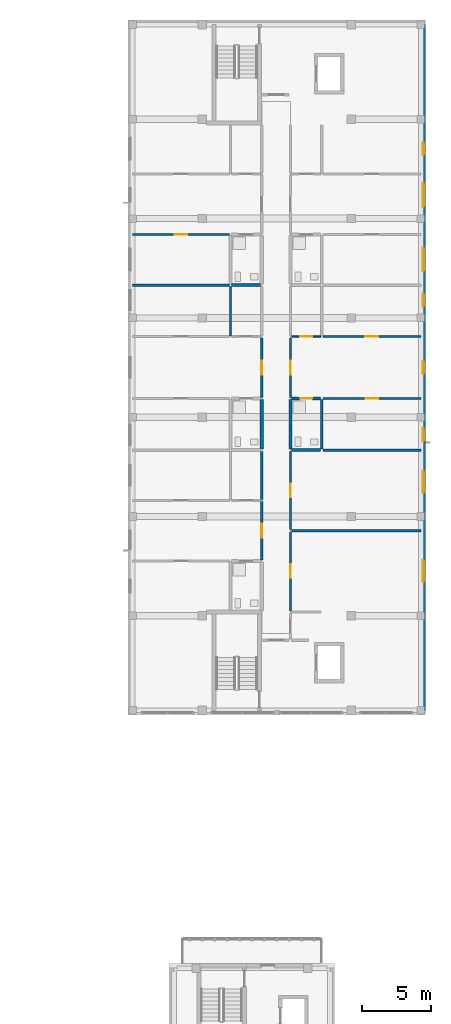
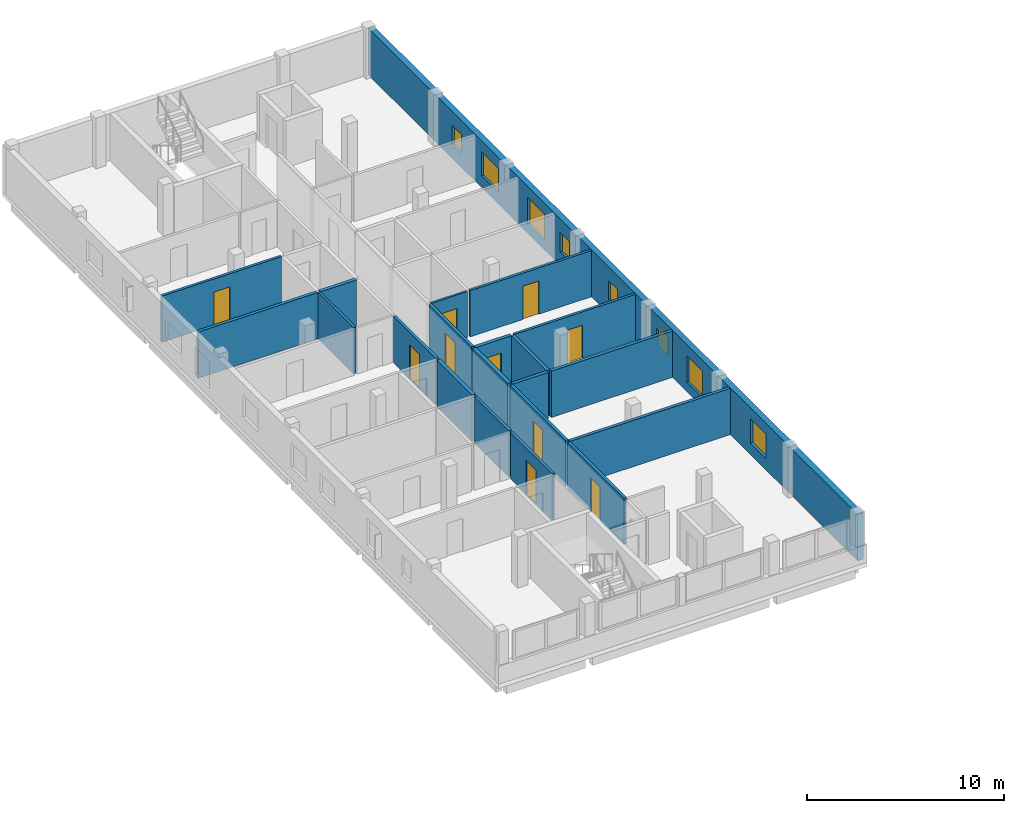
# One storey, part 18 of 35: 21 walls, 10 doors, 8 windows, 18 openings.
"""IFC4 building model written with IfcOpenShell, lengths in metres."""

from ifc_helpers import new_model, si_unit, derived_unit, direction, frame, frame_2d, origin, place, context, subcontext, project, spatial, rectangle, extrude, material, layer, layer_set, type_object, element, fill, save


model = new_model("IFC4")

# Units and contexts
model_context = context("Model", 3, precision=1e-05, world=origin(), true_north=direction((0.0, 1.0)))
body_context = subcontext(model_context, "Body", "Model", "MODEL_VIEW")
ifc_project = project(units=[si_unit("LENGTHUNIT", "METRE"), si_unit("AREAUNIT", "SQUARE_METRE"), si_unit("VOLUMEUNIT", "CUBIC_METRE"), si_unit("PLANEANGLEUNIT", "RADIAN"), si_unit("MASSUNIT", "GRAM", prefix="KILO"), derived_unit("THERMALTRANSMITTANCEUNIT", [(si_unit("MASSUNIT", "GRAM", prefix="KILO"), 1), (si_unit("TIMEUNIT", "SECOND"), -3), (si_unit("THERMODYNAMICTEMPERATUREUNIT", "KELVIN"), -1)])], contexts=[model_context])

# Site, building, storey
site_placement = place(None, origin())
site = spatial("IfcSite", under=ifc_project, at=site_placement, CompositionType="ELEMENT")
building_placement = place(site_placement, origin())
building = spatial("IfcBuilding", under=site, at=building_placement, Name="Ochrekiln Boulevard Commons", CompositionType="ELEMENT")
storey_placement = place(building_placement, frame((0.0, 0.0, 30.97509765625)))
storey = spatial("IfcBuildingStorey", under=building, at=storey_placement, Name="L09", CompositionType="ELEMENT", Elevation=30.97509765625)

# Wall, openings, windows
ifc_material_1 = material(Name="Iron-spot brown clinker brick masonry ASTM C216 Grade SW", Category="masonry")
ifc_layer_1 = layer(ifc_material_1, 0.340087890625)
ifc_layer_set_1 = layer_set([ifc_layer_1], Name="Iron-spot brown clinker brick masonry ASTM C216 Grade SW")
wall_type_1 = type_object("IfcWallType", Name="WL-EXT-IRON-340", PredefinedType="SOLIDWALL", material=ifc_layer_set_1)
wall_1_placement = place(storey_placement, frame((172.6298828125, 68.739990234375, 0.0), z_axis=(0.0, 0.0, 1.0), x_axis=(0.0, 1.0, 0.0)))
wall_1 = element("IfcWall", 1, at=wall_1_placement, inside=storey, type_object=wall_type_1, Name="Block B L09 E Exterior Wall", PredefinedType="SOLIDWALL", context=body_context, shape_type="SweptSolid", body=[
    extrude(rectangle(XDim=49.719970703125, YDim=0.340087890625, at=frame_2d((24.85986328125, 0.0))), origin(), (0.0, 0.0, 1.0), 2.89990234375),
])
opening_1_placement = place(wall_1_placement, frame((9.297119140625, 0.0, 0.715087890625)))
opening_1 = element("IfcOpeningElement", 2, at=opening_1_placement, cuts=wall_1, Name="Opening W-33", PredefinedType="OPENING", context=body_context, shape_type="SweptSolid", body=[
    extrude(rectangle(XDim=1.60009765625, YDim=1.5, at=frame_2d((0.800048828125, 0.75))), frame((0.0, 0.179931640625, 0.0), z_axis=(0.0, -1.0, 0.0), x_axis=(1.0, 0.0, 0.0)), (0.0, 0.0, 1.0), 0.360107421875),
])
opening_2_placement = place(wall_1_placement, frame((15.758056640625, 0.0, 0.56494140625)))
opening_2 = element("IfcOpeningElement", 3, at=opening_2_placement, cuts=wall_1, Name="Opening W-34", PredefinedType="OPENING", context=body_context, shape_type="SweptSolid", body=[
    extrude(rectangle(XDim=1.60009765625, YDim=1.64990234375, at=frame_2d((0.800048828125, 0.824951171875))), frame((0.0, 0.179931640625, 0.0), z_axis=(0.0, -1.0, 0.0), x_axis=(1.0, 0.0, 0.0)), (0.0, 0.0, 1.0), 0.360107421875),
])
opening_3_placement = place(wall_1_placement, frame((24.385009765625, 0.0, 0.85009765625)))
opening_3 = element("IfcOpeningElement", 4, at=opening_3_placement, cuts=wall_1, Name="Opening W-01", PredefinedType="OPENING", context=body_context, shape_type="SweptSolid", body=[
    extrude(rectangle(XDim=0.949951171875, YDim=1.199951171875, at=frame_2d((0.47509765625, 0.60009765625))), frame((0.0, 0.179931640625, 0.0), z_axis=(0.0, -1.0, 0.0), x_axis=(1.0, 0.0, 0.0)), (0.0, 0.0, 1.0), 0.360107421875),
])
opening_4_placement = place(wall_1_placement, frame((19.5029296875, 0.0, 0.85009765625)))
opening_4 = element("IfcOpeningElement", 5, at=opening_4_placement, cuts=wall_1, Name="Opening W-01", PredefinedType="OPENING", context=body_context, shape_type="SweptSolid", body=[
    extrude(rectangle(XDim=0.949951171875, YDim=1.199951171875, at=frame_2d((0.47509765625, 0.60009765625))), frame((0.0, 0.179931640625, 0.0), z_axis=(0.0, -1.0, 0.0), x_axis=(1.0, 0.0, 0.0)), (0.0, 0.0, 1.0), 0.360107421875),
])
opening_5_placement = place(wall_1_placement, frame((29.26708984375, 0.0, 0.85009765625)))
opening_5 = element("IfcOpeningElement", 6, at=opening_5_placement, cuts=wall_1, Name="Opening W-01", PredefinedType="OPENING", context=body_context, shape_type="SweptSolid", body=[
    extrude(rectangle(XDim=0.949951171875, YDim=1.199951171875, at=frame_2d((0.47509765625, 0.60009765625))), frame((0.0, 0.179931640625, 0.0), z_axis=(0.0, -1.0, 0.0), x_axis=(1.0, 0.0, 0.0)), (0.0, 0.0, 1.0), 0.360107421875),
])
opening_6_placement = place(wall_1_placement, frame((36.508056640625, 0.0, 0.715087890625)))
opening_6 = element("IfcOpeningElement", 7, at=opening_6_placement, cuts=wall_1, Name="Opening W-38", PredefinedType="OPENING", context=body_context, shape_type="SweptSolid", body=[
    extrude(rectangle(XDim=1.719970703125, YDim=1.5, at=frame_2d((0.85986328125, 0.75))), frame((0.0, 0.179931640625, 0.0), z_axis=(0.0, -1.0, 0.0), x_axis=(1.0, 0.0, 0.0)), (0.0, 0.0, 1.0), 0.360107421875),
])
opening_7_placement = place(wall_1_placement, frame((31.821044921875, 0.0, 0.56494140625)))
opening_7 = element("IfcOpeningElement", 8, at=opening_7_placement, cuts=wall_1, Name="Opening W-39", PredefinedType="OPENING", context=body_context, shape_type="SweptSolid", body=[
    extrude(rectangle(XDim=1.719970703125, YDim=1.64990234375, at=frame_2d((0.85986328125, 0.824951171875))), frame((0.0, 0.179931640625, 0.0), z_axis=(0.0, -1.0, 0.0), x_axis=(1.0, 0.0, 0.0)), (0.0, 0.0, 1.0), 0.360107421875),
])
opening_8_placement = place(wall_1_placement, frame((40.239013671875, 0.0, 0.85009765625)))
opening_8 = element("IfcOpeningElement", 9, at=opening_8_placement, cuts=wall_1, Name="Opening W-01", PredefinedType="OPENING", context=body_context, shape_type="SweptSolid", body=[
    extrude(rectangle(XDim=0.949951171875, YDim=1.199951171875, at=frame_2d((0.47509765625, 0.60009765625))), frame((0.0, 0.179931640625, 0.0), z_axis=(0.0, -1.0, 0.0), x_axis=(1.0, 0.0, 0.0)), (0.0, 0.0, 1.0), 0.360107421875),
])
ifc_material_2 = material(Name="Thermally broken aluminium-clad oak frame", Category="aluminium")
window_type_1 = type_object("IfcWindowType", Name="WIN-EXT-01", PartitioningType="SINGLE_PANEL", PredefinedType="WINDOW", material=ifc_material_2)
window_1_placement = place(opening_3_placement, origin())
window_1 = element("IfcWindow", 10, at=window_1_placement, inside=storey, type_object=window_type_1, Name="Block B L09 Punched Masonry Window W-01", OverallHeight=1.199951171875, OverallWidth=0.949951171875, PartitioningType="SINGLE_PANEL", PredefinedType="WINDOW", context=body_context, shape_type="SweptSolid", body=[
    extrude(rectangle(XDim=0.949951171875, YDim=1.199951171875, at=frame_2d((0.47509765625, 0.60009765625))), frame((0.0, 0.030029296875, 0.0), z_axis=(0.0, -1.0, 0.0), x_axis=(1.0, 0.0, 0.0)), (0.0, 0.0, 1.0), 0.06005859375),
])
fill(opening_3, window_1)
window_2_placement = place(opening_4_placement, origin())
window_2 = element("IfcWindow", 11, at=window_2_placement, inside=storey, type_object=window_type_1, Name="Block B L09 Punched Masonry Window W-01", OverallHeight=1.199951171875, OverallWidth=0.949951171875, PartitioningType="SINGLE_PANEL", PredefinedType="WINDOW", context=body_context, shape_type="SweptSolid", body=[
    extrude(rectangle(XDim=0.949951171875, YDim=1.199951171875, at=frame_2d((0.47509765625, 0.60009765625))), frame((0.0, 0.030029296875, 0.0), z_axis=(0.0, -1.0, 0.0), x_axis=(1.0, 0.0, 0.0)), (0.0, 0.0, 1.0), 0.06005859375),
])
fill(opening_4, window_2)
window_3_placement = place(opening_5_placement, origin())
window_3 = element("IfcWindow", 12, at=window_3_placement, inside=storey, type_object=window_type_1, Name="Block B L09 Punched Masonry Window W-01", OverallHeight=1.199951171875, OverallWidth=0.949951171875, PartitioningType="SINGLE_PANEL", PredefinedType="WINDOW", context=body_context, shape_type="SweptSolid", body=[
    extrude(rectangle(XDim=0.949951171875, YDim=1.199951171875, at=frame_2d((0.47509765625, 0.60009765625))), frame((0.0, 0.030029296875, 0.0), z_axis=(0.0, -1.0, 0.0), x_axis=(1.0, 0.0, 0.0)), (0.0, 0.0, 1.0), 0.06005859375),
])
fill(opening_5, window_3)
window_4_placement = place(opening_8_placement, origin())
window_4 = element("IfcWindow", 13, at=window_4_placement, inside=storey, type_object=window_type_1, Name="Block B L09 Punched Masonry Window W-01", OverallHeight=1.199951171875, OverallWidth=0.949951171875, PartitioningType="SINGLE_PANEL", PredefinedType="WINDOW", context=body_context, shape_type="SweptSolid", body=[
    extrude(rectangle(XDim=0.949951171875, YDim=1.199951171875, at=frame_2d((0.47509765625, 0.60009765625))), frame((0.0, 0.030029296875, 0.0), z_axis=(0.0, -1.0, 0.0), x_axis=(1.0, 0.0, 0.0)), (0.0, 0.0, 1.0), 0.06005859375),
])
fill(opening_8, window_4)
window_type_2 = type_object("IfcWindowType", Name="WIN-EXT-33", PartitioningType="DOUBLE_PANEL_VERTICAL", PredefinedType="WINDOW", material=ifc_material_2)
window_5_placement = place(opening_1_placement, origin())
window_5 = element("IfcWindow", 14, at=window_5_placement, inside=storey, type_object=window_type_2, Name="Block B L09 Punched Masonry Window W-33", OverallHeight=1.5, OverallWidth=1.60009765625, PartitioningType="DOUBLE_PANEL_VERTICAL", PredefinedType="WINDOW", context=body_context, shape_type="SweptSolid", body=[
    extrude(rectangle(XDim=1.60009765625, YDim=1.5, at=frame_2d((0.800048828125, 0.75))), frame((0.0, 0.030029296875, 0.0), z_axis=(0.0, -1.0, 0.0), x_axis=(1.0, 0.0, 0.0)), (0.0, 0.0, 1.0), 0.06005859375),
])
fill(opening_1, window_5)
window_type_3 = type_object("IfcWindowType", Name="WIN-EXT-34", PartitioningType="DOUBLE_PANEL_VERTICAL", PredefinedType="WINDOW", material=ifc_material_2)
window_6_placement = place(opening_2_placement, origin())
window_6 = element("IfcWindow", 15, at=window_6_placement, inside=storey, type_object=window_type_3, Name="Block B L09 Punched Masonry Window W-34", OverallHeight=1.64990234375, OverallWidth=1.60009765625, PartitioningType="DOUBLE_PANEL_VERTICAL", PredefinedType="WINDOW", context=body_context, shape_type="SweptSolid", body=[
    extrude(rectangle(XDim=1.60009765625, YDim=1.64990234375, at=frame_2d((0.800048828125, 0.824951171875))), frame((0.0, 0.030029296875, 0.0), z_axis=(0.0, -1.0, 0.0), x_axis=(1.0, 0.0, 0.0)), (0.0, 0.0, 1.0), 0.06005859375),
])
fill(opening_2, window_6)
window_type_4 = type_object("IfcWindowType", Name="WIN-EXT-38", PartitioningType="DOUBLE_PANEL_VERTICAL", PredefinedType="WINDOW", material=ifc_material_2)
window_7_placement = place(opening_6_placement, origin())
window_7 = element("IfcWindow", 16, at=window_7_placement, inside=storey, type_object=window_type_4, Name="Block B L09 Punched Masonry Window W-38", OverallHeight=1.5, OverallWidth=1.719970703125, PartitioningType="DOUBLE_PANEL_VERTICAL", PredefinedType="WINDOW", context=body_context, shape_type="SweptSolid", body=[
    extrude(rectangle(XDim=1.719970703125, YDim=1.5, at=frame_2d((0.85986328125, 0.75))), frame((0.0, 0.030029296875, 0.0), z_axis=(0.0, -1.0, 0.0), x_axis=(1.0, 0.0, 0.0)), (0.0, 0.0, 1.0), 0.06005859375),
])
fill(opening_6, window_7)
window_type_5 = type_object("IfcWindowType", Name="WIN-EXT-39", PartitioningType="DOUBLE_PANEL_VERTICAL", PredefinedType="WINDOW", material=ifc_material_2)
window_8_placement = place(opening_7_placement, origin())
window_8 = element("IfcWindow", 17, at=window_8_placement, inside=storey, type_object=window_type_5, Name="Block B L09 Punched Masonry Window W-39", OverallHeight=1.64990234375, OverallWidth=1.719970703125, PartitioningType="DOUBLE_PANEL_VERTICAL", PredefinedType="WINDOW", context=body_context, shape_type="SweptSolid", body=[
    extrude(rectangle(XDim=1.719970703125, YDim=1.64990234375, at=frame_2d((0.85986328125, 0.824951171875))), frame((0.0, 0.030029296875, 0.0), z_axis=(0.0, -1.0, 0.0), x_axis=(1.0, 0.0, 0.0)), (0.0, 0.0, 1.0), 0.06005859375),
])
fill(opening_7, window_8)

# Walls
ifc_material_3 = material(Name="Moisture-resistant cementitious tile backer wall")
ifc_layer_2 = layer(ifc_material_3, 0.199951171875)
ifc_layer_set_2 = layer_set([ifc_layer_2], Name="Moisture-resistant cementitious tile backer wall")
wall_type_2 = type_object("IfcWallType", Name="WL-PLM-200", PredefinedType="PLUMBINGWALL", material=ifc_layer_set_2)
wall_2_placement = place(storey_placement, frame((158.715087890625, 99.583984375, 0.0), z_axis=(0.0, 0.0, 1.0), x_axis=(1.0, 0.0, 0.0)))
element("IfcWall", 18, at=wall_2_placement, inside=storey, type_object=wall_type_2, Name="L09 Interior Wall W-PW200", PredefinedType="PLUMBINGWALL", context=body_context, shape_type="SweptSolid", body=[
    extrude(rectangle(XDim=2.11181640625, YDim=0.199951171875, at=frame_2d((1.055908203125, 0.0))), origin(), (0.0, 0.0, 1.0), 2.869873046875),
])
wall_3_placement = place(storey_placement, frame((163.072998046875, 87.615966796875, 0.0), z_axis=(0.0, 0.0, 1.0), x_axis=(1.0, 0.0, 0.0)))
element("IfcWall", 19, at=wall_3_placement, inside=storey, type_object=wall_type_2, Name="L09 Interior Wall W-PW200", PredefinedType="PLUMBINGWALL", context=body_context, shape_type="SweptSolid", body=[
    extrude(rectangle(XDim=2.10693359375, YDim=0.199951171875, at=frame_2d((1.053466796875, 0.0))), origin(), (0.0, 0.0, 1.0), 2.869873046875),
])

# Wall, opening, door
wall_4_placement = place(storey_placement, frame((163.072998046875, 91.360107421875, 0.0), z_axis=(0.0, 0.0, 1.0), x_axis=(1.0, 0.0, 0.0)))
wall_4 = element("IfcWall", 20, at=wall_4_placement, inside=storey, type_object=wall_type_2, Name="L09 Interior Wall W-PW200", PredefinedType="PLUMBINGWALL", context=body_context, shape_type="SweptSolid", body=[
    extrude(rectangle(XDim=2.10693359375, YDim=0.199951171875, at=frame_2d((1.053466796875, 0.0))), origin(), (0.0, 0.0, 1.0), 2.869873046875),
])
opening_9_placement = place(wall_4_placement, frame((0.626953125, 0.0, 0.0)))
opening_9 = element("IfcOpeningElement", 21, at=opening_9_placement, cuts=wall_4, Name="Opening D-L09-1144", PredefinedType="OPENING", context=body_context, shape_type="SweptSolid", body=[
    extrude(rectangle(XDim=0.860107421875, YDim=2.0, at=frame_2d((0.43017578125, 1.0))), frame((0.0, 0.10986328125, 0.0), z_axis=(0.0, -1.0, 0.0), x_axis=(1.0, 0.0, 0.0)), (0.0, 0.0, 1.0), 0.219970703125),
])
ifc_material_4 = material(Name="Solid core architectural oak door leaf")
door_type_1 = type_object("IfcDoorType", Name="DR-INT-BTH-086", OperationType="NOTDEFINED", PredefinedType="DOOR", material=ifc_material_4)
door_1_placement = place(opening_9_placement, frame((0.860107421875, 0.0, 0.0), z_axis=(0.0, 0.0, 1.0), x_axis=(-1.0, 0.0, 0.0)))
door_1 = element("IfcDoor", 22, at=door_1_placement, inside=storey, type_object=door_type_1, Name="L09 Interior Door to Apartment Bathroom", OperationType="SINGLE_SWING_RIGHT", OverallHeight=2.0, OverallWidth=0.860107421875, PredefinedType="DOOR", context=body_context, shape_type="SweptSolid", body=[
    extrude(rectangle(XDim=0.860107421875, YDim=2.0, at=frame_2d((0.43017578125, 1.0))), frame((0.0, 0.02490234375, 0.0), z_axis=(0.0, -1.0, 0.0), x_axis=(1.0, 0.0, 0.0)), (0.0, 0.0, 1.0), 0.050048828125),
])
fill(opening_9, door_1)

# Walls
wall_5_placement = place(storey_placement, frame((165.260009765625, 87.7060546875, 0.0), z_axis=(0.0, 0.0, 1.0), x_axis=(0.0, 1.0, 0.0)))
element("IfcWall", 23, at=wall_5_placement, inside=storey, type_object=wall_type_2, Name="L09 Interior Wall W-PW200", PredefinedType="PLUMBINGWALL", context=body_context, shape_type="SweptSolid", body=[
    extrude(rectangle(XDim=3.573974609375, YDim=0.199951171875, at=frame_2d((1.787109375, 0.0))), origin(), (0.0, 0.0, 1.0), 2.869873046875),
])
ifc_layer_3 = layer(ifc_material_3, 0.219970703125)
ifc_layer_set_3 = layer_set([ifc_layer_3], Name="Moisture-resistant cementitious tile backer wall")
wall_type_3 = type_object("IfcWallType", Name="WL-PLM-220", PredefinedType="PLUMBINGWALL", material=ifc_layer_set_3)
for number, where, z_axis, x_axis, name in (
    (24, (160.909912109375, 87.7060546875, 0.0), (0.0, 0.0, 1.0), (0.0, 1.0, 0.0), "L09 Interior Wall W-PW220"),
    (25, (162.989990234375, 87.7060546875, 0.0), (0.0, 0.0, 1.0), (0.0, 1.0, 0.0), "L09 Interior Wall W-PW220"),
):
    element("IfcWall", number, at=place(storey_placement, frame(where, z_axis=z_axis, x_axis=x_axis)), inside=storey, type_object=wall_type_3, Name=name, PredefinedType="PLUMBINGWALL", context=body_context, shape_type="SweptSolid", body=[
        extrude(rectangle(XDim=3.573974609375, YDim=0.219970703125, at=frame_2d((1.787109375, 0.0))), origin(), (0.0, 0.0, 1.0), 2.869873046875),
    ])

# Wall, opening, door
ifc_material_5 = material(Name="Fire-rated Type X gypsum board on steel studs", Category="steel")
ifc_layer_4 = layer(ifc_material_5, 0.1650390625)
ifc_layer_set_4 = layer_set([ifc_layer_4], Name="Fire-rated Type X gypsum board on steel studs")
wall_type_4 = type_object("IfcWallType", Name="WL-PT-CORR-165", PredefinedType="PARTITIONING", material=ifc_layer_set_4)
wall_6_placement = place(storey_placement, frame((160.909912109375, 79.653076171875, 0.0), z_axis=(0.0, 0.0, 1.0), x_axis=(0.0, 1.0, 0.0)))
wall_6 = element("IfcWall", 26, at=wall_6_placement, inside=storey, type_object=wall_type_4, Name="L09 Interior Wall W-PC165", PredefinedType="PARTITIONING", context=body_context, shape_type="SweptSolid", body=[
    extrude(rectangle(XDim=4.219970703125, YDim=0.1650390625, at=frame_2d((2.10986328125, 0.0))), origin(), (0.0, 0.0, 1.0), 2.869873046875),
])
opening_10_placement = place(wall_6_placement, frame((1.60498046875, 0.0, 0.0)))
opening_10 = element("IfcOpeningElement", 27, at=opening_10_placement, cuts=wall_6, Name="Opening D-L09-1125", PredefinedType="OPENING", context=body_context, shape_type="SweptSolid", body=[
    extrude(rectangle(XDim=1.010009765625, YDim=2.110107421875, at=frame_2d((0.5048828125, 1.05517578125))), frame((0.0, 0.092529296875, 0.0), z_axis=(0.0, -1.0, 0.0), x_axis=(1.0, 0.0, 0.0)), (0.0, 0.0, 1.0), 0.18505859375),
])
door_type_2 = type_object("IfcDoorType", Name="DR-INT-APT-101", OperationType="NOTDEFINED", PredefinedType="DOOR", material=ifc_material_4)
door_2_placement = place(opening_10_placement, origin())
door_2 = element("IfcDoor", 28, at=door_2_placement, inside=storey, type_object=door_type_2, Name="L09 Interior Door to Two-Bedroom Apartment Living Room", OperationType="SINGLE_SWING_LEFT", OverallHeight=2.110107421875, OverallWidth=1.010009765625, PredefinedType="DOOR", context=body_context, shape_type="SweptSolid", body=[
    extrude(rectangle(XDim=1.010009765625, YDim=2.110107421875, at=frame_2d((0.5048828125, 1.05517578125))), frame((0.0, 0.02490234375, 0.0), z_axis=(0.0, -1.0, 0.0), x_axis=(1.0, 0.0, 0.0)), (0.0, 0.0, 1.0), 0.050048828125),
])
fill(opening_10, door_2)

# Wall
wall_7_placement = place(storey_placement, frame((160.909912109375, 84.032958984375, 0.0), z_axis=(0.0, 0.0, 1.0), x_axis=(0.0, 1.0, 0.0)))
element("IfcWall", 29, at=wall_7_placement, inside=storey, type_object=wall_type_4, Name="L09 Interior Wall W-PC165", PredefinedType="PARTITIONING", context=body_context, shape_type="SweptSolid", body=[
    extrude(rectangle(XDim=3.492919921875, YDim=0.1650390625, at=frame_2d((1.74658203125, 0.0))), origin(), (0.0, 0.0, 1.0), 2.869873046875),
])

# Wall, opening, door
wall_8_placement = place(storey_placement, frame((160.909912109375, 91.43994140625, 0.0), z_axis=(0.0, 0.0, 1.0), x_axis=(0.0, 1.0, 0.0)))
wall_8 = element("IfcWall", 30, at=wall_8_placement, inside=storey, type_object=wall_type_4, Name="L09 Interior Wall W-PC165", PredefinedType="PARTITIONING", context=body_context, shape_type="SweptSolid", body=[
    extrude(rectangle(XDim=4.320068359375, YDim=0.1650390625, at=frame_2d((2.16015625, 0.0))), origin(), (0.0, 0.0, 1.0), 2.869873046875),
])
opening_11_placement = place(wall_8_placement, frame((1.655029296875, 0.0, 0.0)))
opening_11 = element("IfcOpeningElement", 31, at=opening_11_placement, cuts=wall_8, Name="Opening D-L09-1126", PredefinedType="OPENING", context=body_context, shape_type="SweptSolid", body=[
    extrude(rectangle(XDim=1.010009765625, YDim=2.110107421875, at=frame_2d((0.5048828125, 1.05517578125))), frame((0.0, 0.092529296875, 0.0), z_axis=(0.0, -1.0, 0.0), x_axis=(1.0, 0.0, 0.0)), (0.0, 0.0, 1.0), 0.18505859375),
])
door_3_placement = place(opening_11_placement, origin())
door_3 = element("IfcDoor", 32, at=door_3_placement, inside=storey, type_object=door_type_2, Name="L09 Interior Door to Two-Bedroom Apartment Living Room", OperationType="SINGLE_SWING_RIGHT", OverallHeight=2.110107421875, OverallWidth=1.010009765625, PredefinedType="DOOR", context=body_context, shape_type="SweptSolid", body=[
    extrude(rectangle(XDim=1.010009765625, YDim=2.110107421875, at=frame_2d((0.5048828125, 1.05517578125))), frame((0.0, 0.02490234375, 0.0), z_axis=(0.0, -1.0, 0.0), x_axis=(1.0, 0.0, 0.0)), (0.0, 0.0, 1.0), 0.050048828125),
])
fill(opening_11, door_3)

wall_9_placement = place(storey_placement, frame((162.989990234375, 75.945068359375, 0.0), z_axis=(0.0, 0.0, 1.0), x_axis=(0.0, 1.0, 0.0)))
wall_9 = element("IfcWall", 33, at=wall_9_placement, inside=storey, type_object=wall_type_4, Name="L09 Interior Wall W-PC165", PredefinedType="PARTITIONING", context=body_context, shape_type="SweptSolid", body=[
    extrude(rectangle(XDim=5.72802734375, YDim=0.1650390625, at=frame_2d((2.864013671875, 0.0))), origin(), (0.0, 0.0, 1.0), 2.869873046875),
])
opening_12_placement = place(wall_9_placement, frame((2.402099609375, 0.0, 0.0)))
opening_12 = element("IfcOpeningElement", 34, at=opening_12_placement, cuts=wall_9, Name="Opening D-L09-1128", PredefinedType="OPENING", context=body_context, shape_type="SweptSolid", body=[
    extrude(rectangle(XDim=0.97998046875, YDim=2.080078125, at=frame_2d((0.489990234375, 1.0400390625))), frame((0.0, 0.092529296875, 0.0), z_axis=(0.0, -1.0, 0.0), x_axis=(1.0, 0.0, 0.0)), (0.0, 0.0, 1.0), 0.18505859375),
])
door_type_3 = type_object("IfcDoorType", Name="DR-APT-60", OperationType="NOTDEFINED", PredefinedType="DOOR", material=ifc_material_4)
door_4_placement = place(opening_12_placement, frame((0.97998046875, 0.0, 0.0), z_axis=(0.0, 0.0, 1.0), x_axis=(-1.0, 0.0, 0.0)))
door_4 = element("IfcDoor", 35, at=door_4_placement, inside=storey, type_object=door_type_3, Name="L09 Interior Door to Resident Study Lounge", OperationType="SINGLE_SWING_RIGHT", OverallHeight=2.080078125, OverallWidth=0.97998046875, PredefinedType="DOOR", context=body_context, shape_type="SweptSolid", body=[
    extrude(rectangle(XDim=0.97998046875, YDim=2.080078125, at=frame_2d((0.489990234375, 1.0400390625))), frame((0.0, 0.02490234375, 0.0), z_axis=(0.0, -1.0, 0.0), x_axis=(1.0, 0.0, 0.0)), (0.0, 0.0, 1.0), 0.050048828125),
])
fill(opening_12, door_4)

wall_10_placement = place(storey_placement, frame((162.989990234375, 81.85302734375, 0.0), z_axis=(0.0, 0.0, 1.0), x_axis=(0.0, 1.0, 0.0)))
wall_10 = element("IfcWall", 36, at=wall_10_placement, inside=storey, type_object=wall_type_4, Name="L09 Interior Wall W-PC165", PredefinedType="PARTITIONING", context=body_context, shape_type="SweptSolid", body=[
    extrude(rectangle(XDim=5.6728515625, YDim=0.1650390625, at=frame_2d((2.83642578125, 0.0))), origin(), (0.0, 0.0, 1.0), 2.869873046875),
])
opening_13_placement = place(wall_10_placement, frame((2.346923828125, 0.0, 0.0)))
opening_13 = element("IfcOpeningElement", 37, at=opening_13_placement, cuts=wall_10, Name="Opening D-L09-1129", PredefinedType="OPENING", context=body_context, shape_type="SweptSolid", body=[
    extrude(rectangle(XDim=0.97998046875, YDim=2.080078125, at=frame_2d((0.489990234375, 1.0400390625))), frame((0.0, 0.092529296875, 0.0), z_axis=(0.0, -1.0, 0.0), x_axis=(1.0, 0.0, 0.0)), (0.0, 0.0, 1.0), 0.18505859375),
])
door_5_placement = place(opening_13_placement, frame((0.97998046875, 0.0, 0.0), z_axis=(0.0, 0.0, 1.0), x_axis=(-1.0, 0.0, 0.0)))
door_5 = element("IfcDoor", 38, at=door_5_placement, inside=storey, type_object=door_type_3, Name="L09 Interior Door to Resident Reading Library", OperationType="SINGLE_SWING_LEFT", OverallHeight=2.080078125, OverallWidth=0.97998046875, PredefinedType="DOOR", context=body_context, shape_type="SweptSolid", body=[
    extrude(rectangle(XDim=0.97998046875, YDim=2.080078125, at=frame_2d((0.489990234375, 1.0400390625))), frame((0.0, 0.02490234375, 0.0), z_axis=(0.0, -1.0, 0.0), x_axis=(1.0, 0.0, 0.0)), (0.0, 0.0, 1.0), 0.050048828125),
])
fill(opening_13, door_5)

wall_11_placement = place(storey_placement, frame((162.989990234375, 91.43994140625, 0.0), z_axis=(0.0, 0.0, 1.0), x_axis=(0.0, 1.0, 0.0)))
wall_11 = element("IfcWall", 39, at=wall_11_placement, inside=storey, type_object=wall_type_4, Name="L09 Interior Wall W-PC165", PredefinedType="PARTITIONING", context=body_context, shape_type="SweptSolid", body=[
    extrude(rectangle(XDim=4.320068359375, YDim=0.1650390625, at=frame_2d((2.16015625, 0.0))), origin(), (0.0, 0.0, 1.0), 2.869873046875),
])
opening_14_placement = place(wall_11_placement, frame((1.655029296875, 0.0, 0.0)))
opening_14 = element("IfcOpeningElement", 40, at=opening_14_placement, cuts=wall_11, Name="Opening D-L09-1130", PredefinedType="OPENING", context=body_context, shape_type="SweptSolid", body=[
    extrude(rectangle(XDim=1.010009765625, YDim=2.110107421875, at=frame_2d((0.5048828125, 1.05517578125))), frame((0.0, 0.092529296875, 0.0), z_axis=(0.0, -1.0, 0.0), x_axis=(1.0, 0.0, 0.0)), (0.0, 0.0, 1.0), 0.18505859375),
])
door_6_placement = place(opening_14_placement, frame((1.010009765625, 0.0, 0.0), z_axis=(0.0, 0.0, 1.0), x_axis=(-1.0, 0.0, 0.0)))
door_6 = element("IfcDoor", 41, at=door_6_placement, inside=storey, type_object=door_type_2, Name="L09 Interior Door to Two-Bedroom Apartment Living Room", OperationType="SINGLE_SWING_RIGHT", OverallHeight=2.110107421875, OverallWidth=1.010009765625, PredefinedType="DOOR", context=body_context, shape_type="SweptSolid", body=[
    extrude(rectangle(XDim=1.010009765625, YDim=2.110107421875, at=frame_2d((0.5048828125, 1.05517578125))), frame((0.0, 0.02490234375, 0.0), z_axis=(0.0, -1.0, 0.0), x_axis=(1.0, 0.0, 0.0)), (0.0, 0.0, 1.0), 0.050048828125),
])
fill(opening_14, door_6)

# Walls
ifc_layer_5 = layer(ifc_material_5, 0.179931640625)
ifc_layer_set_5 = layer_set([ifc_layer_5], Name="Fire-rated Type X gypsum board on steel studs")
wall_type_5 = type_object("IfcWallType", Name="WL-PT-DEM-180", PredefinedType="PARTITIONING", material=ifc_layer_set_5)
wall_12_placement = place(storey_placement, frame((151.5400390625, 99.583984375, 0.0), z_axis=(0.0, 0.0, 1.0), x_axis=(1.0, 0.0, 0.0)))
element("IfcWall", 42, at=wall_12_placement, inside=storey, type_object=wall_type_5, Name="L09 Interior Wall W-PD180", PredefinedType="PARTITIONING", context=body_context, shape_type="SweptSolid", body=[
    extrude(rectangle(XDim=7.02001953125, YDim=0.179931640625, at=frame_2d((3.510009765625, 0.0))), origin(), (0.0, 0.0, 1.0), 2.869873046875),
])
wall_13_placement = place(storey_placement, frame((163.072998046875, 81.762939453125, 0.0), z_axis=(0.0, 0.0, 1.0), x_axis=(1.0, 0.0, 0.0)))
element("IfcWall", 43, at=wall_13_placement, inside=storey, type_object=wall_type_5, Name="L09 Interior Wall W-PD180", PredefinedType="PARTITIONING", context=body_context, shape_type="SweptSolid", body=[
    extrude(rectangle(XDim=9.386962890625, YDim=0.179931640625, at=frame_2d((4.693359375, 0.0))), origin(), (0.0, 0.0, 1.0), 2.869873046875),
])
wall_14_placement = place(storey_placement, frame((165.340087890625, 87.615966796875, 0.0), z_axis=(0.0, 0.0, 1.0), x_axis=(1.0, 0.0, 0.0)))
element("IfcWall", 44, at=wall_14_placement, inside=storey, type_object=wall_type_5, Name="L09 Interior Wall W-PD180", PredefinedType="PARTITIONING", context=body_context, shape_type="SweptSolid", body=[
    extrude(rectangle(XDim=7.119873046875, YDim=0.179931640625, at=frame_2d((3.56005859375, 0.0))), origin(), (0.0, 0.0, 1.0), 2.869873046875),
])

# Wall, opening, door
ifc_layer_6 = layer(ifc_material_5, 0.1201171875)
ifc_layer_set_6 = layer_set([ifc_layer_6], Name="Fire-rated Type X gypsum board on steel studs")
wall_type_6 = type_object("IfcWallType", Name="WL-PT-LGT-120", PredefinedType="PARTITIONING", material=ifc_layer_set_6)
wall_15_placement = place(storey_placement, frame((163.072998046875, 95.840087890625, 0.0), z_axis=(0.0, 0.0, 1.0), x_axis=(1.0, 0.0, 0.0)))
wall_15 = element("IfcWall", 45, at=wall_15_placement, inside=storey, type_object=wall_type_6, Name="L09 Interior Wall W-PL120", PredefinedType="PARTITIONING", context=body_context, shape_type="SweptSolid", body=[
    extrude(rectangle(XDim=2.10693359375, YDim=0.1201171875, at=frame_2d((1.053466796875, 0.0))), origin(), (0.0, 0.0, 1.0), 2.869873046875),
])
opening_15_placement = place(wall_15_placement, frame((0.616943359375, 0.0, 0.0)))
opening_15 = element("IfcOpeningElement", 46, at=opening_15_placement, cuts=wall_15, Name="Opening D-L09-1145", PredefinedType="OPENING", context=body_context, shape_type="SweptSolid", body=[
    extrude(rectangle(XDim=0.8798828125, YDim=2.02001953125, at=frame_2d((0.43994140625, 1.010009765625))), frame((0.0, 0.070068359375, 0.0), z_axis=(0.0, -1.0, 0.0), x_axis=(1.0, 0.0, 0.0)), (0.0, 0.0, 1.0), 0.14013671875),
])
door_type_4 = type_object("IfcDoorType", Name="DR-INT-KIT-088", OperationType="NOTDEFINED", PredefinedType="DOOR", material=ifc_material_4)
door_7_placement = place(opening_15_placement, origin())
door_7 = element("IfcDoor", 47, at=door_7_placement, inside=storey, type_object=door_type_4, Name="L09 Interior Door to Apartment Kitchen", OperationType="SINGLE_SWING_LEFT", OverallHeight=2.02001953125, OverallWidth=0.8798828125, PredefinedType="DOOR", context=body_context, shape_type="SweptSolid", body=[
    extrude(rectangle(XDim=0.8798828125, YDim=2.02001953125, at=frame_2d((0.43994140625, 1.010009765625))), frame((0.0, 0.02490234375, 0.0), z_axis=(0.0, -1.0, 0.0), x_axis=(1.0, 0.0, 0.0)), (0.0, 0.0, 1.0), 0.050048828125),
])
fill(opening_15, door_7)

# Wall
ifc_layer_7 = layer(ifc_material_5, 0.14990234375)
ifc_layer_set_7 = layer_set([ifc_layer_7], Name="Fire-rated Type X gypsum board on steel studs")
wall_type_7 = type_object("IfcWallType", Name="WL-PT-STD-150", PredefinedType="PARTITIONING", material=ifc_layer_set_7)
wall_16_placement = place(storey_placement, frame((158.639892578125, 95.89990234375, 0.0), z_axis=(0.0, 0.0, 1.0), x_axis=(0.0, 1.0, 0.0)))
element("IfcWall", 48, at=wall_16_placement, inside=storey, type_object=wall_type_7, Name="L09 Interior Wall W-PS150", PredefinedType="PARTITIONING", context=body_context, shape_type="SweptSolid", body=[
    extrude(rectangle(XDim=3.593994140625, YDim=0.14990234375, at=frame_2d((1.796875, 0.0))), origin(), (0.0, 0.0, 1.0), 2.869873046875),
])

# Wall, opening, door
wall_17_placement = place(storey_placement, frame((151.5400390625, 103.2470703125, 0.0), z_axis=(0.0, 0.0, 1.0), x_axis=(1.0, 0.0, 0.0)))
wall_17 = element("IfcWall", 49, at=wall_17_placement, inside=storey, type_object=wall_type_7, Name="L09 Interior Wall W-PS150", PredefinedType="PARTITIONING", context=body_context, shape_type="SweptSolid", body=[
    extrude(rectangle(XDim=7.02001953125, YDim=0.14990234375, at=frame_2d((3.510009765625, 0.0))), origin(), (0.0, 0.0, 1.0), 2.869873046875),
])
opening_16_placement = place(wall_17_placement, frame((3.044921875, 0.0, 0.0)))
opening_16 = element("IfcOpeningElement", 50, at=opening_16_placement, cuts=wall_17, Name="Opening D-L09-1142", PredefinedType="OPENING", context=body_context, shape_type="SweptSolid", body=[
    extrude(rectangle(XDim=0.93994140625, YDim=2.06005859375, at=frame_2d((0.469970703125, 1.030029296875))), frame((0.0, 0.0849609375, 0.0), z_axis=(0.0, -1.0, 0.0), x_axis=(1.0, 0.0, 0.0)), (0.0, 0.0, 1.0), 0.169921875),
])
door_type_5 = type_object("IfcDoorType", Name="DR-INT-BED-094", OperationType="NOTDEFINED", PredefinedType="DOOR", material=ifc_material_4)
door_8_placement = place(opening_16_placement, frame((0.93994140625, 0.0, 0.0), z_axis=(0.0, 0.0, 1.0), x_axis=(-1.0, 0.0, 0.0)))
door_8 = element("IfcDoor", 51, at=door_8_placement, inside=storey, type_object=door_type_5, Name="L09 Interior Door to Primary Apartment Bedroom", OperationType="SINGLE_SWING_RIGHT", OverallHeight=2.06005859375, OverallWidth=0.93994140625, PredefinedType="DOOR", context=body_context, shape_type="SweptSolid", body=[
    extrude(rectangle(XDim=0.93994140625, YDim=2.06005859375, at=frame_2d((0.469970703125, 1.030029296875))), frame((0.0, 0.02490234375, 0.0), z_axis=(0.0, -1.0, 0.0), x_axis=(1.0, 0.0, 0.0)), (0.0, 0.0, 1.0), 0.050048828125),
])
fill(opening_16, door_8)

wall_18_placement = place(storey_placement, frame((165.340087890625, 91.360107421875, 0.0), z_axis=(0.0, 0.0, 1.0), x_axis=(1.0, 0.0, 0.0)))
wall_18 = element("IfcWall", 52, at=wall_18_placement, inside=storey, type_object=wall_type_7, Name="L09 Interior Wall W-PS150", PredefinedType="PARTITIONING", context=body_context, shape_type="SweptSolid", body=[
    extrude(rectangle(XDim=7.119873046875, YDim=0.14990234375, at=frame_2d((3.56005859375, 0.0))), origin(), (0.0, 0.0, 1.0), 2.869873046875),
])
opening_17_placement = place(wall_18_placement, frame((3.10498046875, 0.0, 0.0)))
opening_17 = element("IfcOpeningElement", 53, at=opening_17_placement, cuts=wall_18, Name="Opening D-L09-1146", PredefinedType="OPENING", context=body_context, shape_type="SweptSolid", body=[
    extrude(rectangle(XDim=0.89990234375, YDim=2.0400390625, at=frame_2d((0.449951171875, 1.02001953125))), frame((0.0, 0.0849609375, 0.0), z_axis=(0.0, -1.0, 0.0), x_axis=(1.0, 0.0, 0.0)), (0.0, 0.0, 1.0), 0.169921875),
])
door_type_6 = type_object("IfcDoorType", Name="DR-INT-BED-090", OperationType="NOTDEFINED", PredefinedType="DOOR", material=ifc_material_4)
door_9_placement = place(opening_17_placement, frame((0.89990234375, 0.0, 0.0), z_axis=(0.0, 0.0, 1.0), x_axis=(-1.0, 0.0, 0.0)))
door_9 = element("IfcDoor", 54, at=door_9_placement, inside=storey, type_object=door_type_6, Name="L09 Interior Door to Primary Apartment Bedroom", OperationType="SINGLE_SWING_RIGHT", OverallHeight=2.0400390625, OverallWidth=0.89990234375, PredefinedType="DOOR", context=body_context, shape_type="SweptSolid", body=[
    extrude(rectangle(XDim=0.89990234375, YDim=2.0400390625, at=frame_2d((0.449951171875, 1.02001953125))), frame((0.0, 0.02490234375, 0.0), z_axis=(0.0, -1.0, 0.0), x_axis=(1.0, 0.0, 0.0)), (0.0, 0.0, 1.0), 0.050048828125),
])
fill(opening_17, door_9)

wall_19_placement = place(storey_placement, frame((165.340087890625, 95.840087890625, 0.0), z_axis=(0.0, 0.0, 1.0), x_axis=(1.0, 0.0, 0.0)))
wall_19 = element("IfcWall", 55, at=wall_19_placement, inside=storey, type_object=wall_type_7, Name="L09 Interior Wall W-PS150", PredefinedType="PARTITIONING", context=body_context, shape_type="SweptSolid", body=[
    extrude(rectangle(XDim=7.119873046875, YDim=0.14990234375, at=frame_2d((3.56005859375, 0.0))), origin(), (0.0, 0.0, 1.0), 2.869873046875),
])
opening_18_placement = place(wall_19_placement, frame((3.0849609375, 0.0, 0.0)))
opening_18 = element("IfcOpeningElement", 56, at=opening_18_placement, cuts=wall_19, Name="Opening D-L09-1147", PredefinedType="OPENING", context=body_context, shape_type="SweptSolid", body=[
    extrude(rectangle(XDim=0.93994140625, YDim=2.06005859375, at=frame_2d((0.469970703125, 1.030029296875))), frame((0.0, 0.0849609375, 0.0), z_axis=(0.0, -1.0, 0.0), x_axis=(1.0, 0.0, 0.0)), (0.0, 0.0, 1.0), 0.169921875),
])
door_10_placement = place(opening_18_placement, origin())
door_10 = element("IfcDoor", 57, at=door_10_placement, inside=storey, type_object=door_type_5, Name="L09 Interior Door to Secondary Apartment Bedroom", OperationType="SINGLE_SWING_LEFT", OverallHeight=2.06005859375, OverallWidth=0.93994140625, PredefinedType="DOOR", context=body_context, shape_type="SweptSolid", body=[
    extrude(rectangle(XDim=0.93994140625, YDim=2.06005859375, at=frame_2d((0.469970703125, 1.030029296875))), frame((0.0, 0.02490234375, 0.0), z_axis=(0.0, -1.0, 0.0), x_axis=(1.0, 0.0, 0.0)), (0.0, 0.0, 1.0), 0.050048828125),
])
fill(opening_18, door_10)

save(model, "model.ifc")
